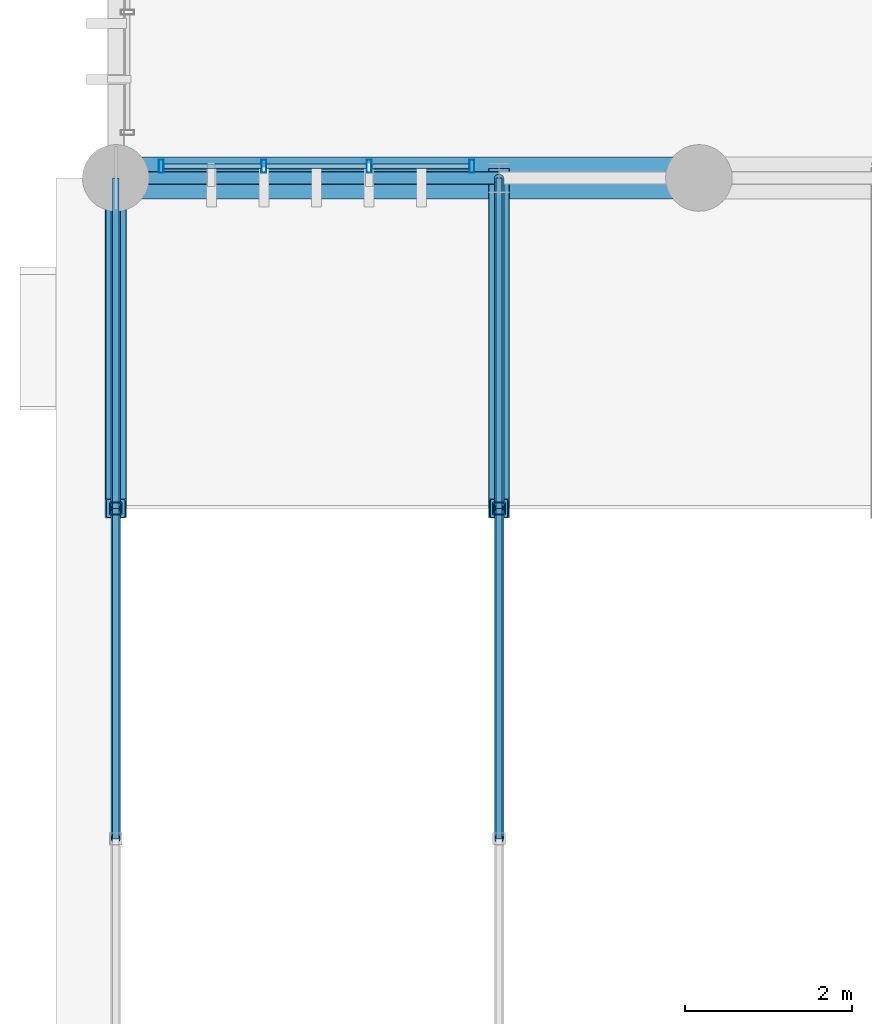
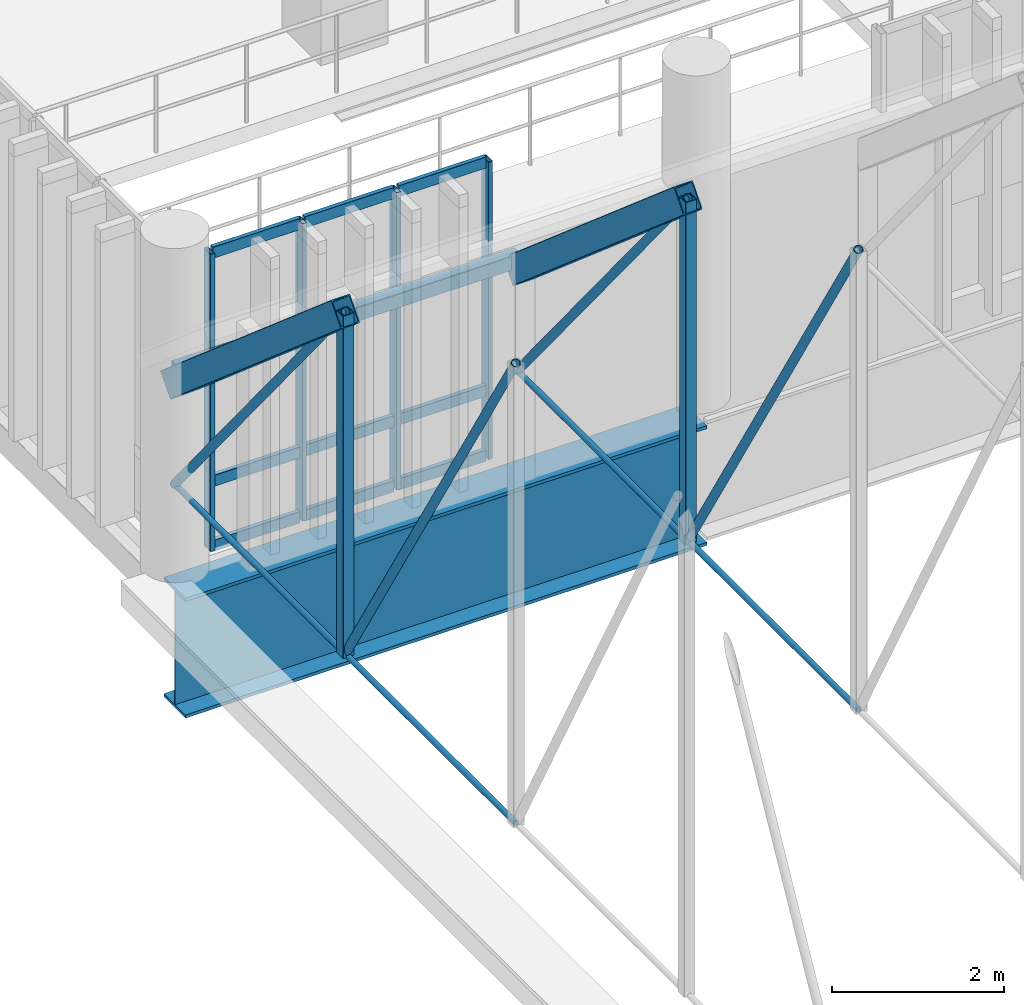
# One storey, part 14 of 109: 24 members, 3 beams, 1 element without a shape of its own.
"""IFC4 building model written with IfcOpenShell, lengths in metres."""

from ifc_helpers import new_model, si_unit, direction, frame, origin_with_axes, origin_2d_with_axis, place, context, subcontext, project, spatial, hollow_rectangle, circle, hollow_circle, i_section, extrude, material, material_profile, profile_set, type_object, element, aggregate, save


model = new_model("IFC4")

# Units and contexts
model_context = context("Model", 3, precision=1e-05, world=origin_with_axes(), true_north=direction((0.0, 1.0)))
body_context = subcontext(model_context, "Body", "Model", "MODEL_VIEW")
ifc_project = project(units=[si_unit("LENGTHUNIT", "METRE"), si_unit("AREAUNIT", "SQUARE_METRE"), si_unit("VOLUMEUNIT", "CUBIC_METRE"), si_unit("PLANEANGLEUNIT", "RADIAN"), si_unit("MASSUNIT", "GRAM", prefix="KILO"), si_unit("THERMODYNAMICTEMPERATUREUNIT", "KELVIN")], contexts=[model_context])

# Site, building, storey
site_placement = place(None, origin_with_axes())
site = spatial("IfcSite", under=ifc_project, at=site_placement, CompositionType="ELEMENT")
building_placement = place(site_placement, origin_with_axes())
building = spatial("IfcBuilding", under=site, at=building_placement, Name="Montbau Bow Law Courts", CompositionType="ELEMENT")
storey_placement = place(building_placement, frame((0.0, 0.0, 10.8), z_axis=(0.0, 0.0, 1.0), x_axis=(1.0, 0.0, 0.0)))
storey = spatial("IfcBuildingStorey", under=building, at=storey_placement, Name="L02", CompositionType="ELEMENT", Elevation=10.8)

# Beams
ifc_material_1 = material(Name="Steel CSA G40.21 Grade 350WT (350 MPa)", Category="steel")
ifc_material_profile_1 = material_profile(ifc_material_1, hollow_rectangle(XDim=0.254, YDim=0.356, WallThickness=0.0127, InnerFilletRadius=0.0254, OuterFilletRadius=0.0127, at=origin_2d_with_axis()), Name="HSS356X254X13", Category="Main", Priority=0)
ifc_profile_set_1 = profile_set([ifc_material_profile_1], Name="Steel CSA G40.21 Grade 350WT (350 MPa)")
beam_type_1 = type_object("IfcBeamType", Name="B-ARC-01", PredefinedType="USERDEFINED", material=ifc_profile_set_1)
for number, where, z_axis, x_axis, name in (
    (1, (6.8, 26.633, 16.836), (0.0, 0.758621798, -0.651531249), (-1.0, 0.0, 0.0), "Barrel vault roof truss arch rib V1-006"),
    (2, (11.4, 26.633, 16.836), (0.0, 0.758621798, -0.651531249), (-1.0, 0.0, 0.0), "Barrel vault roof truss arch rib V1-012"),
):
    element("IfcBeam", number, at=place(None, frame(where, z_axis=z_axis, x_axis=x_axis)), inside=storey, type_object=beam_type_1, Name=name, ObjectType="ARCH_RIB", PredefinedType="USERDEFINED", context=body_context, shape_type="SweptSolid", body=[
        extrude(hollow_rectangle(XDim=0.254, YDim=0.356, WallThickness=0.0127, InnerFilletRadius=0.0254, OuterFilletRadius=0.0127, at=origin_2d_with_axis()), origin_with_axes(), (0.0, 0.0, 1.0), 5.22922),
    ])
ifc_material_profile_2 = material_profile(ifc_material_1, i_section(OverallWidth=0.5, OverallDepth=1.7, WebThickness=0.02, FlangeThickness=0.045, at=origin_2d_with_axis()), Name="WWF1700X480", Category="Main", Priority=0)
ifc_profile_set_2 = profile_set([ifc_material_profile_2], Name="Steel CSA G40.21 Grade 350WT (350 MPa)")
beam_type_2 = type_object("IfcBeamType", Name="B-TRG-02", PredefinedType="USERDEFINED", material=ifc_profile_set_2)
beam_placement = place(None, frame((6.8, 30.6, 9.66), z_axis=(1.0, 0.0, 0.0), x_axis=(0.0, 1.0, 0.0)))
element("IfcBeam", 3, at=beam_placement, inside=storey, type_object=beam_type_2, Name="VRG-L02-S0005:bm2_0008", ObjectType="GIRDER", PredefinedType="USERDEFINED", context=body_context, shape_type="SweptSolid", body=[
    extrude(i_section(OverallWidth=0.5, OverallDepth=1.7, WebThickness=0.02, FlangeThickness=0.045, at=origin_2d_with_axis()), origin_with_axes(), (0.0, 0.0, 1.0), 7.0),
])

# Curtain wall, members
ifc_material_2 = material(Name="Thermally Broken Extruded Aluminium AA 6063-T6", Category="aluminium")
curtain_wall_type = type_object("IfcCurtainWallType", Name="CW-TRC-01", PredefinedType="NOTDEFINED", material=ifc_material_2)
curtain_wall_placement = place(None, frame((7.315, 30.74, 10.8), z_axis=(0.0, 0.0, 1.0), x_axis=(1.0, 0.0, 0.0)))
curtain_wall = element("IfcCurtainWall", 4, at=curtain_wall_placement, inside=storey, type_object=curtain_wall_type, Name="CW-L02-032:cw_0032", PredefinedType="NOTDEFINED")
ifc_material_profile_3 = material_profile(ifc_material_2, hollow_rectangle(XDim=0.06, YDim=0.16, WallThickness=0.004, InnerFilletRadius=0.008, OuterFilletRadius=0.004, at=origin_2d_with_axis()), Name="CWM-160X60", Category="Main", Priority=0)
ifc_profile_set_3 = profile_set([ifc_material_profile_3], Name="Thermally Broken Extruded Aluminium AA 6063-T6")
member_type_1 = type_object("IfcMemberType", Name="M-MUL-03", PredefinedType="MULLION", material=ifc_profile_set_3)
member_1_placement = place(None, frame((7.345, 30.74, 10.8), z_axis=(0.0, 0.0, 1.0), x_axis=(1.0, 0.0, 0.0)))
member_1 = element("IfcMember", 5, at=member_1_placement, type_object=member_type_1, Name="CW-L02-032-M01:cw_0032_M01", PredefinedType="MULLION", context=body_context, shape_type="SweptSolid", body=[
    extrude(hollow_rectangle(XDim=0.06, YDim=0.16, WallThickness=0.004, InnerFilletRadius=0.008, OuterFilletRadius=0.004, at=origin_2d_with_axis()), origin_with_axes(), (0.0, 0.0, 1.0), 4.22),
])
member_2_placement = place(None, frame((8.578, 30.74, 10.8), z_axis=(0.0, 0.0, 1.0), x_axis=(1.0, 0.0, 0.0)))
member_2 = element("IfcMember", 6, at=member_2_placement, type_object=member_type_1, Name="CW-L02-032-M02:cw_0032_M02", PredefinedType="MULLION", context=body_context, shape_type="SweptSolid", body=[
    extrude(hollow_rectangle(XDim=0.06, YDim=0.16, WallThickness=0.004, InnerFilletRadius=0.008, OuterFilletRadius=0.004, at=origin_2d_with_axis()), origin_with_axes(), (0.0, 0.0, 1.0), 4.22),
])
member_3_placement = place(None, frame((9.841, 30.74, 10.8), z_axis=(0.0, 0.0, 1.0), x_axis=(1.0, 0.0, 0.0)))
member_3 = element("IfcMember", 7, at=member_3_placement, type_object=member_type_1, Name="CW-L02-032-M03:cw_0032_M03", PredefinedType="MULLION", context=body_context, shape_type="SweptSolid", body=[
    extrude(hollow_rectangle(XDim=0.06, YDim=0.16, WallThickness=0.004, InnerFilletRadius=0.008, OuterFilletRadius=0.004, at=origin_2d_with_axis()), origin_with_axes(), (0.0, 0.0, 1.0), 4.22),
])
member_4_placement = place(None, frame((11.074, 30.74, 10.8), z_axis=(0.0, 0.0, 1.0), x_axis=(1.0, 0.0, 0.0)))
member_4 = element("IfcMember", 8, at=member_4_placement, type_object=member_type_1, Name="CW-L02-032-M04:cw_0032_M04", PredefinedType="MULLION", context=body_context, shape_type="SweptSolid", body=[
    extrude(hollow_rectangle(XDim=0.06, YDim=0.16, WallThickness=0.004, InnerFilletRadius=0.008, OuterFilletRadius=0.004, at=origin_2d_with_axis()), origin_with_axes(), (0.0, 0.0, 1.0), 4.22),
])

# Members
ifc_material_profile_4 = material_profile(ifc_material_1, hollow_rectangle(XDim=0.152, YDim=0.203, WallThickness=0.0095, InnerFilletRadius=0.019, OuterFilletRadius=0.0095, at=origin_2d_with_axis()), Name="HSS203X152X9.5", Category="Main", Priority=0)
ifc_profile_set_4 = profile_set([ifc_material_profile_4], Name="Steel CSA G40.21 Grade 350WT (350 MPa)")
member_type_2 = type_object("IfcMemberType", Name="M-PUR-01", PredefinedType="PURLIN", material=ifc_profile_set_4)
member_5_placement = place(None, frame((6.8, 30.6, 13.587), z_axis=(1.0, 0.0, 0.0), x_axis=(0.0, 1.0, 0.0)))
element("IfcMember", 9, at=member_5_placement, inside=storey, type_object=member_type_2, Name="Barrel vault roof truss purlin V1-007", PredefinedType="PURLIN", context=body_context, shape_type="SweptSolid", body=[
    extrude(hollow_rectangle(XDim=0.152, YDim=0.203, WallThickness=0.0095, InnerFilletRadius=0.019, OuterFilletRadius=0.0095, at=origin_2d_with_axis()), origin_with_axes(), (0.0, 0.0, 1.0), 4.6),
])
ifc_material_profile_5 = material_profile(ifc_material_1, hollow_rectangle(XDim=0.152, YDim=0.152, WallThickness=0.0095, InnerFilletRadius=0.019, OuterFilletRadius=0.0095, at=origin_2d_with_axis()), Name="HSS152X152X9.5", Category="Main", Priority=0)
ifc_profile_set_5 = profile_set([ifc_material_profile_5], Name="Steel CSA G40.21 Grade 350WT (350 MPa)")
member_type_3 = type_object("IfcMemberType", Name="M-STR-02", PredefinedType="STRUT", material=ifc_profile_set_5)
for number, where, z_axis, x_axis, name in (
    (10, (6.8, 26.633, 11.979), (0.0, 0.0, 1.0), (1.0, 0.0, 0.0), "Barrel vault roof truss web post V1-01-5"),
    (11, (11.4, 26.633, 11.979), (0.0, 0.0, 1.0), (1.0, 0.0, 0.0), "Barrel vault roof truss web post V1-02-5"),
):
    element("IfcMember", number, at=place(None, frame(where, z_axis=z_axis, x_axis=x_axis)), inside=storey, type_object=member_type_3, Name=name, PredefinedType="STRUT", context=body_context, shape_type="SweptSolid", body=[
        extrude(hollow_rectangle(XDim=0.152, YDim=0.152, WallThickness=0.0095, InnerFilletRadius=0.019, OuterFilletRadius=0.0095, at=origin_2d_with_axis()), origin_with_axes(), (0.0, 0.0, 1.0), 4.857),
    ])
ifc_material_profile_6 = material_profile(ifc_material_1, hollow_circle(Radius=0.057, WallThickness=0.008, at=origin_2d_with_axis()), Name="HSS114X8.0", Category="Main", Priority=0)
ifc_profile_set_6 = profile_set([ifc_material_profile_6], Name="Steel CSA G40.21 Grade 350WT (350 MPa)")
member_type_4 = type_object("IfcMemberType", Name="M-STR-03", PredefinedType="STRUT", material=ifc_profile_set_6)
member_6_placement = place(None, frame((6.8, 22.667, 18.511), z_axis=(0.0, 0.518991793, -0.854779222), x_axis=(-1.0, 0.0, 0.0)))
element("IfcMember", 12, at=member_6_placement, inside=storey, type_object=member_type_4, Name="Barrel vault roof truss web diagonal V1-01-5", PredefinedType="STRUT", context=body_context, shape_type="SweptSolid", body=[
    extrude(hollow_circle(Radius=0.057, WallThickness=0.008, at=origin_2d_with_axis()), origin_with_axes(), (0.0, 0.0, 1.0), 7.641739),
])
member_7_placement = place(None, frame((6.8, 26.633, 16.836), z_axis=(0.0, 0.632577617, -0.774496971), x_axis=(-1.0, 0.0, 0.0)))
element("IfcMember", 13, at=member_7_placement, inside=storey, type_object=member_type_4, Name="Barrel vault roof truss web diagonal V1-01-6", PredefinedType="STRUT", context=body_context, shape_type="SweptSolid", body=[
    extrude(hollow_circle(Radius=0.057, WallThickness=0.008, at=origin_2d_with_axis()), origin_with_axes(), (0.0, 0.0, 1.0), 6.271167),
])
member_8_placement = place(None, frame((11.4, 22.667, 18.511), z_axis=(0.0, 0.518991793, -0.854779222), x_axis=(-1.0, 0.0, 0.0)))
element("IfcMember", 14, at=member_8_placement, inside=storey, type_object=member_type_4, Name="Barrel vault roof truss web diagonal V1-02-5", PredefinedType="STRUT", context=body_context, shape_type="SweptSolid", body=[
    extrude(hollow_circle(Radius=0.057, WallThickness=0.008, at=origin_2d_with_axis()), origin_with_axes(), (0.0, 0.0, 1.0), 7.641739),
])
member_9_placement = place(None, frame((11.4, 26.633, 16.836), z_axis=(0.0, 0.632577617, -0.774496971), x_axis=(-1.0, 0.0, 0.0)))
element("IfcMember", 15, at=member_9_placement, inside=storey, type_object=member_type_4, Name="Barrel vault roof truss web diagonal V1-02-6", PredefinedType="STRUT", context=body_context, shape_type="SweptSolid", body=[
    extrude(hollow_circle(Radius=0.057, WallThickness=0.008, at=origin_2d_with_axis()), origin_with_axes(), (0.0, 0.0, 1.0), 6.271167),
])
ifc_material_profile_7 = material_profile(ifc_material_1, circle(Radius=0.038, at=origin_2d_with_axis()), Name="ROD76", Category="Main", Priority=0)
ifc_profile_set_7 = profile_set([ifc_material_profile_7], Name="Steel CSA G40.21 Grade 350WT (350 MPa)")
member_type_5 = type_object("IfcMemberType", Name="M-TIE-01", PredefinedType="USERDEFINED", material=ifc_profile_set_7)
member_10_placement = place(None, frame((6.8, 22.667, 11.979), z_axis=(0.0, 1.0, 0.0), x_axis=(-1.0, 0.0, 0.0)))
element("IfcMember", 16, at=member_10_placement, inside=storey, type_object=member_type_5, Name="Barrel vault roof truss tie V1-005", ObjectType="TIEBAR", PredefinedType="USERDEFINED", context=body_context, shape_type="SweptSolid", body=[
    extrude(circle(Radius=0.038, at=origin_2d_with_axis()), origin_with_axes(), (0.0, 0.0, 1.0), 3.966),
])
member_11_placement = place(None, frame((6.8, 26.633, 11.979), z_axis=(0.0, 1.0, 0.0), x_axis=(-1.0, 0.0, 0.0)))
element("IfcMember", 17, at=member_11_placement, inside=storey, type_object=member_type_5, Name="Barrel vault roof truss tie V1-006", ObjectType="TIEBAR", PredefinedType="USERDEFINED", context=body_context, shape_type="SweptSolid", body=[
    extrude(circle(Radius=0.038, at=origin_2d_with_axis()), origin_with_axes(), (0.0, 0.0, 1.0), 3.967),
])
member_12_placement = place(None, frame((11.4, 22.667, 11.979), z_axis=(0.0, 1.0, 0.0), x_axis=(-1.0, 0.0, 0.0)))
element("IfcMember", 18, at=member_12_placement, inside=storey, type_object=member_type_5, Name="Barrel vault roof truss tie V1-011", ObjectType="TIEBAR", PredefinedType="USERDEFINED", context=body_context, shape_type="SweptSolid", body=[
    extrude(circle(Radius=0.038, at=origin_2d_with_axis()), origin_with_axes(), (0.0, 0.0, 1.0), 3.966),
])
member_13_placement = place(None, frame((11.4, 26.633, 11.979), z_axis=(0.0, 1.0, 0.0), x_axis=(-1.0, 0.0, 0.0)))
element("IfcMember", 19, at=member_13_placement, inside=storey, type_object=member_type_5, Name="Barrel vault roof truss tie V1-012", ObjectType="TIEBAR", PredefinedType="USERDEFINED", context=body_context, shape_type="SweptSolid", body=[
    extrude(circle(Radius=0.038, at=origin_2d_with_axis()), origin_with_axes(), (0.0, 0.0, 1.0), 3.967),
])

# Member
ifc_material_profile_8 = material_profile(ifc_material_2, hollow_rectangle(XDim=0.06, YDim=0.16, WallThickness=0.004, InnerFilletRadius=0.008, OuterFilletRadius=0.004, at=origin_2d_with_axis()), Name="CWT-160X60", Category="Main", Priority=0)
ifc_profile_set_8 = profile_set([ifc_material_profile_8], Name="Thermally Broken Extruded Aluminium AA 6063-T6")
member_type_6 = type_object("IfcMemberType", Name="M-TRN-01", PredefinedType="USERDEFINED", material=ifc_profile_set_8)
member_14_placement = place(None, frame((7.377, 30.74, 10.83), z_axis=(1.0, 0.0, 0.0), x_axis=(0.0, 1.0, 0.0)))
member_14 = element("IfcMember", 20, at=member_14_placement, type_object=member_type_6, Name="CW-L02-032-T01-1:cw_0032_T01_1", ObjectType="TRANSOM", PredefinedType="USERDEFINED", context=body_context, shape_type="SweptSolid", body=[
    extrude(hollow_rectangle(XDim=0.06, YDim=0.16, WallThickness=0.004, InnerFilletRadius=0.008, OuterFilletRadius=0.004, at=origin_2d_with_axis()), origin_with_axes(), (0.0, 0.0, 1.0), 1.169),
])

member_15_placement = place(None, frame((7.377, 30.74, 11.75), z_axis=(1.0, 0.0, 0.0), x_axis=(0.0, 1.0, 0.0)))
member_15 = element("IfcMember", 21, at=member_15_placement, type_object=member_type_6, Name="CW-L02-032-T01-2:cw_0032_T01_2", ObjectType="TRANSOM", PredefinedType="USERDEFINED", context=body_context, shape_type="SweptSolid", body=[
    extrude(hollow_rectangle(XDim=0.06, YDim=0.16, WallThickness=0.004, InnerFilletRadius=0.008, OuterFilletRadius=0.004, at=origin_2d_with_axis()), origin_with_axes(), (0.0, 0.0, 1.0), 1.169),
])

member_16_placement = place(None, frame((7.377, 30.74, 14.99), z_axis=(1.0, 0.0, 0.0), x_axis=(0.0, 1.0, 0.0)))
member_16 = element("IfcMember", 22, at=member_16_placement, type_object=member_type_6, Name="CW-L02-032-T01-3:cw_0032_T01_3", ObjectType="TRANSOM", PredefinedType="USERDEFINED", context=body_context, shape_type="SweptSolid", body=[
    extrude(hollow_rectangle(XDim=0.06, YDim=0.16, WallThickness=0.004, InnerFilletRadius=0.008, OuterFilletRadius=0.004, at=origin_2d_with_axis()), origin_with_axes(), (0.0, 0.0, 1.0), 1.169),
])

member_17_placement = place(None, frame((8.61, 30.74, 10.83), z_axis=(1.0, 0.0, 0.0), x_axis=(0.0, 1.0, 0.0)))
member_17 = element("IfcMember", 23, at=member_17_placement, type_object=member_type_6, Name="CW-L02-032-T02-1:cw_0032_T02_1", ObjectType="TRANSOM", PredefinedType="USERDEFINED", context=body_context, shape_type="SweptSolid", body=[
    extrude(hollow_rectangle(XDim=0.06, YDim=0.16, WallThickness=0.004, InnerFilletRadius=0.008, OuterFilletRadius=0.004, at=origin_2d_with_axis()), origin_with_axes(), (0.0, 0.0, 1.0), 1.199),
])

member_18_placement = place(None, frame((8.61, 30.74, 11.75), z_axis=(1.0, 0.0, 0.0), x_axis=(0.0, 1.0, 0.0)))
member_18 = element("IfcMember", 24, at=member_18_placement, type_object=member_type_6, Name="CW-L02-032-T02-2:cw_0032_T02_2", ObjectType="TRANSOM", PredefinedType="USERDEFINED", context=body_context, shape_type="SweptSolid", body=[
    extrude(hollow_rectangle(XDim=0.06, YDim=0.16, WallThickness=0.004, InnerFilletRadius=0.008, OuterFilletRadius=0.004, at=origin_2d_with_axis()), origin_with_axes(), (0.0, 0.0, 1.0), 1.199),
])

member_19_placement = place(None, frame((8.61, 30.74, 14.99), z_axis=(1.0, 0.0, 0.0), x_axis=(0.0, 1.0, 0.0)))
member_19 = element("IfcMember", 25, at=member_19_placement, type_object=member_type_6, Name="CW-L02-032-T02-3:cw_0032_T02_3", ObjectType="TRANSOM", PredefinedType="USERDEFINED", context=body_context, shape_type="SweptSolid", body=[
    extrude(hollow_rectangle(XDim=0.06, YDim=0.16, WallThickness=0.004, InnerFilletRadius=0.008, OuterFilletRadius=0.004, at=origin_2d_with_axis()), origin_with_axes(), (0.0, 0.0, 1.0), 1.199),
])

member_20_placement = place(None, frame((9.873, 30.74, 10.83), z_axis=(1.0, 0.0, 0.0), x_axis=(0.0, 1.0, 0.0)))
member_20 = element("IfcMember", 26, at=member_20_placement, type_object=member_type_6, Name="CW-L02-032-T03-1:cw_0032_T03_1", ObjectType="TRANSOM", PredefinedType="USERDEFINED", context=body_context, shape_type="SweptSolid", body=[
    extrude(hollow_rectangle(XDim=0.06, YDim=0.16, WallThickness=0.004, InnerFilletRadius=0.008, OuterFilletRadius=0.004, at=origin_2d_with_axis()), origin_with_axes(), (0.0, 0.0, 1.0), 1.169),
])

member_21_placement = place(None, frame((9.873, 30.74, 11.75), z_axis=(1.0, 0.0, 0.0), x_axis=(0.0, 1.0, 0.0)))
member_21 = element("IfcMember", 27, at=member_21_placement, type_object=member_type_6, Name="CW-L02-032-T03-2:cw_0032_T03_2", ObjectType="TRANSOM", PredefinedType="USERDEFINED", context=body_context, shape_type="SweptSolid", body=[
    extrude(hollow_rectangle(XDim=0.06, YDim=0.16, WallThickness=0.004, InnerFilletRadius=0.008, OuterFilletRadius=0.004, at=origin_2d_with_axis()), origin_with_axes(), (0.0, 0.0, 1.0), 1.169),
])

member_22_placement = place(None, frame((9.873, 30.74, 14.99), z_axis=(1.0, 0.0, 0.0), x_axis=(0.0, 1.0, 0.0)))
member_22 = element("IfcMember", 28, at=member_22_placement, type_object=member_type_6, Name="CW-L02-032-T03-3:cw_0032_T03_3", ObjectType="TRANSOM", PredefinedType="USERDEFINED", context=body_context, shape_type="SweptSolid", body=[
    extrude(hollow_rectangle(XDim=0.06, YDim=0.16, WallThickness=0.004, InnerFilletRadius=0.008, OuterFilletRadius=0.004, at=origin_2d_with_axis()), origin_with_axes(), (0.0, 0.0, 1.0), 1.169),
])

aggregate(curtain_wall, [member_1, member_2, member_3, member_4, member_14, member_15, member_16, member_17, member_18, member_19, member_20, member_21, member_22])

save(model, "model.ifc")
